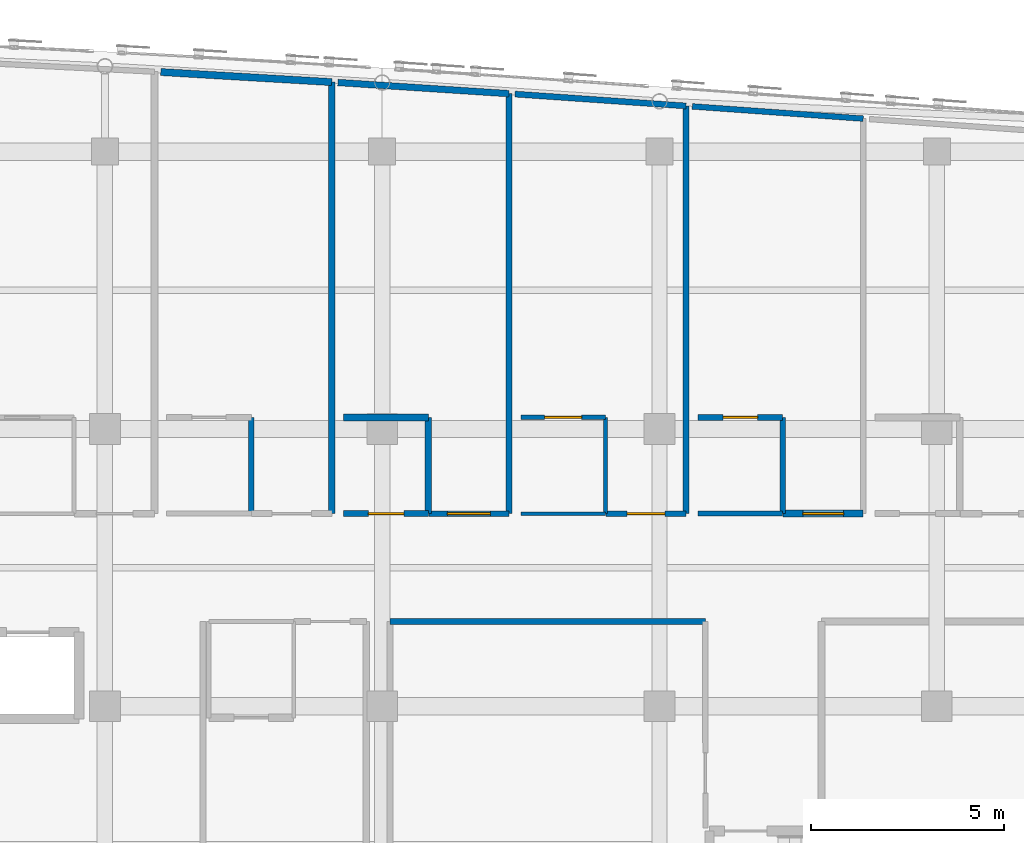
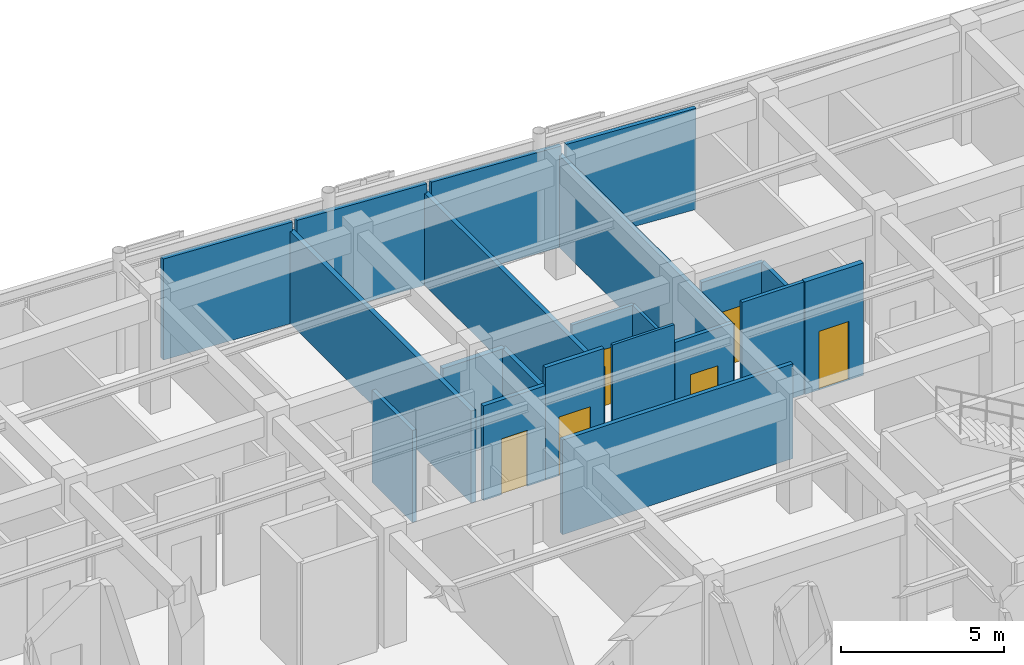
# One storey, part 84 of 106: 21 walls, 6 doors, 6 openings.
"""IFC4 building model written with IfcOpenShell, lengths in metres."""

from ifc_helpers import new_model, si_unit, direction, frame, frame_2d, origin, place, context, subcontext, project, spatial, rectangle, extrude, material, layer, layer_set, type_object, element, fill, save


model = new_model("IFC4")

# Units and contexts
model_context = context("Model", 3, precision=1e-05, world=origin(), true_north=direction((0.0, 1.0)))
body_context = subcontext(model_context, "Body", "Model", "MODEL_VIEW")
ifc_project = project(units=[si_unit("LENGTHUNIT", "METRE"), si_unit("AREAUNIT", "SQUARE_METRE"), si_unit("VOLUMEUNIT", "CUBIC_METRE"), si_unit("PLANEANGLEUNIT", "RADIAN"), si_unit("MASSUNIT", "GRAM", prefix="KILO")], contexts=[model_context])

# Site, building, storey
site_placement = place(None, origin())
site = spatial("IfcSite", under=ifc_project, at=site_placement, CompositionType="ELEMENT")
building_placement = place(site_placement, origin())
building = spatial("IfcBuilding", under=site, at=building_placement, Name="Carrowvane Square Congress Hotel", CompositionType="ELEMENT")
storey_placement = place(building_placement, frame((0.0, 0.0, 10.5)))
storey = spatial("IfcBuildingStorey", under=building, at=storey_placement, Name="L02", CompositionType="ELEMENT", Elevation=10.5)

# Wall, opening, door
ifc_material_1 = material(Name="Acoustic gypsum board", Category="gypsum")
ifc_layer_1 = layer(ifc_material_1, 0.155029296875)
ifc_layer_set_1 = layer_set([ifc_layer_1], Name="Acoustic gypsum board")
wall_type_1 = type_object("IfcWallType", Name="WL-FIR-155", PredefinedType="PARTITIONING", material=ifc_layer_set_1)
wall_1_placement = place(storey_placement, frame((128.0, 104.0, 0.0), z_axis=(0.0, 0.0, 1.0), x_axis=(-1.0, 0.0, 0.0)))
wall_1 = element("IfcWall", 1, at=wall_1_placement, inside=storey, type_object=wall_type_1, Name="L02 En-suite Bathroom 0217 partition", PredefinedType="PARTITIONING", context=body_context, shape_type="SweptSolid", body=[
    extrude(rectangle(XDim=2.199951171875, YDim=0.155029296875, at=frame_2d((1.10009765625, 0.0))), origin(), (0.0, 0.0, 1.0), 3.554931640625),
])
opening_1_placement = place(wall_1_placement, frame((0.639892578125, 0.0, 0.0)))
opening_1 = element("IfcOpeningElement", 2, at=opening_1_placement, cuts=wall_1, Name="Opening ID-03", PredefinedType="OPENING", context=body_context, shape_type="SweptSolid", body=[
    extrude(rectangle(XDim=0.919921875, YDim=2.10009765625, at=frame_2d((0.4599609375, 1.050048828125))), frame((0.0, 0.08740234375, 0.0), z_axis=(0.0, -1.0, 0.0), x_axis=(1.0, 0.0, 0.0)), (0.0, 0.0, 1.0), 0.175048828125),
])
ifc_material_2 = material(Name="European oak timber", Category="wood")
door_type_1 = type_object("IfcDoorType", Name="DR-INT-0920x2100", OperationType="NOTDEFINED", PredefinedType="DOOR", material=ifc_material_2)
door_1_placement = place(opening_1_placement, origin())
door_1 = element("IfcDoor", 3, at=door_1_placement, inside=storey, type_object=door_type_1, Name="L02 En-suite Bathroom 0217 door", OperationType="SINGLE_SWING_LEFT", OverallHeight=2.10009765625, OverallWidth=0.919921875, PredefinedType="DOOR", context=body_context, shape_type="SweptSolid", body=[
    extrude(rectangle(XDim=0.919921875, YDim=2.10009765625, at=frame_2d((0.4599609375, 1.050048828125))), frame((0.0, 0.02490234375, 0.0), z_axis=(0.0, -1.0, 0.0), x_axis=(1.0, 0.0, 0.0)), (0.0, 0.0, 1.0), 0.050048828125),
])
fill(opening_1, door_1)

# Walls
wall_2_placement = place(storey_placement, frame((130.090087890625, 114.906494140625, 0.0), z_axis=(0.0, 0.0, 1.0), x_axis=(0.0, -1.0, 0.0)))
element("IfcWall", 4, at=wall_2_placement, inside=storey, type_object=wall_type_1, Name="L02 Parkview Guest Bedroom 0217 partition", PredefinedType="PARTITIONING", context=body_context, shape_type="SweptSolid", body=[
    extrude(rectangle(XDim=10.906494140625, YDim=0.155029296875, at=frame_2d((5.453125, 0.0))), origin(), (0.0, 0.0, 1.0), 3.455078125),
])
wall_3_placement = place(storey_placement, frame((130.25, 114.8955078125, 0.0), z_axis=(0.0, 0.0, 1.0), x_axis=(0.997593312197, -0.069336739614, 0.0)))
element("IfcWall", 5, at=wall_3_placement, inside=storey, type_object=wall_type_1, Name="L02 Parkview Guest Bedroom 0218 partition", PredefinedType="PARTITIONING", context=body_context, shape_type="SweptSolid", body=[
    extrude(rectangle(XDim=4.45068359375, YDim=0.155029296875, at=frame_2d((2.225341796875, 0.0))), origin(), (0.0, 0.0, 1.0), 3.795654296875),
])
ifc_material_3 = material(Name="Acoustic gypsum board", Category="gypsum")
ifc_layer_2 = layer(ifc_material_3, 0.169921875)
ifc_layer_set_2 = layer_set([ifc_layer_2], Name="Acoustic gypsum board")
wall_type_2 = type_object("IfcWallType", Name="WL-FIR-170", PredefinedType="PARTITIONING", material=ifc_layer_set_2)
wall_4_placement = place(storey_placement, frame((125.489990234375, 115.206298828125, 0.0), z_axis=(0.0, 0.0, 1.0), x_axis=(0.0, -1.0, 0.0)))
element("IfcWall", 6, at=wall_4_placement, inside=storey, type_object=wall_type_2, Name="L02 Parkview Guest Bedroom 0216 partition", PredefinedType="PARTITIONING", context=body_context, shape_type="SweptSolid", body=[
    extrude(rectangle(XDim=11.206298828125, YDim=0.169921875, at=frame_2d((5.60302734375, 0.0))), origin(), (0.0, 0.0, 1.0), 3.455078125),
])
wall_5_placement = place(storey_placement, frame((128.0, 106.5, 0.0), z_axis=(0.0, 0.0, 1.0), x_axis=(0.0, -1.0, 0.0)))
element("IfcWall", 7, at=wall_5_placement, inside=storey, type_object=wall_type_2, Name="L02 En-suite Bathroom 0217 partition", PredefinedType="PARTITIONING", context=body_context, shape_type="SweptSolid", body=[
    extrude(rectangle(XDim=2.5, YDim=0.169921875, at=frame_2d((1.25, 0.0))), origin(), (0.0, 0.0, 1.0), 3.455078125),
])
wall_6_placement = place(storey_placement, frame((125.64990234375, 115.1962890625, 0.0), z_axis=(0.0, 0.0, 1.0), x_axis=(0.997876928912, -0.065127833871, 0.0)))
element("IfcWall", 8, at=wall_6_placement, inside=storey, type_object=wall_type_2, Name="L02 Parkview Guest Bedroom 0217 partition", PredefinedType="PARTITIONING", context=body_context, shape_type="SweptSolid", body=[
    extrude(rectangle(XDim=4.44970703125, YDim=0.169921875, at=frame_2d((2.224853515625, 0.0))), origin(), (0.0, 0.0, 1.0), 3.795654296875),
])
ifc_material_4 = material(Name="Acoustic gypsum board", Category="gypsum")
ifc_layer_3 = layer(ifc_material_4, 0.18505859375)
ifc_layer_set_3 = layer_set([ifc_layer_3], Name="Acoustic gypsum board")
wall_type_3 = type_object("IfcWallType", Name="WL-FIR-185", PredefinedType="PARTITIONING", material=ifc_layer_set_3)
wall_7_placement = place(storey_placement, frame((121.050048828125, 115.468017578125, 0.0), z_axis=(0.0, 0.0, 1.0), x_axis=(0.998267172932, -0.058844298327, 0.0)))
element("IfcWall", 9, at=wall_7_placement, inside=storey, type_object=wall_type_3, Name="L02 Parkview Guest Bedroom 0216 partition", PredefinedType="PARTITIONING", context=body_context, shape_type="SweptSolid", body=[
    extrude(rectangle(XDim=4.44775390625, YDim=0.18505859375, at=frame_2d((2.223876953125, 0.0))), origin(), (0.0, 0.0, 1.0), 3.795654296875),
])
wall_8_placement = place(storey_placement, frame((125.800048828125, 106.5, 0.0), z_axis=(0.0, 0.0, 1.0), x_axis=(1.0, 0.0, 0.0)))
element("IfcWall", 10, at=wall_8_placement, inside=storey, type_object=wall_type_3, Name="L02 En-suite Bathroom 0217 partition", PredefinedType="PARTITIONING", context=body_context, shape_type="SweptSolid", body=[
    extrude(rectangle(XDim=2.199951171875, YDim=0.18505859375, at=frame_2d((1.10009765625, 0.0))), origin(), (0.0, 0.0, 1.0), 3.455078125),
])

# Wall, opening, door
wall_9_placement = place(storey_placement, frame((139.2900390625, 104.0, 0.0), z_axis=(0.0, 0.0, 1.0), x_axis=(-1.0, 0.0, 0.0)))
wall_9 = element("IfcWall", 11, at=wall_9_placement, inside=storey, type_object=wall_type_3, Name="L02 Parkview Guest Bedroom 0219 partition", PredefinedType="PARTITIONING", context=body_context, shape_type="SweptSolid", body=[
    extrude(rectangle(XDim=2.080078125, YDim=0.18505859375, at=frame_2d((1.0400390625, 0.0))), origin(), (0.0, 0.0, 1.0), 4.219970703125),
])
opening_2_placement = place(wall_9_placement, frame((0.510009765625, 0.0, 0.0)))
opening_2 = element("IfcOpeningElement", 12, at=opening_2_placement, cuts=wall_9, Name="Opening FD-09", PredefinedType="OPENING", context=body_context, shape_type="SweptSolid", body=[
    extrude(rectangle(XDim=1.06005859375, YDim=2.199951171875, at=frame_2d((0.530029296875, 1.10009765625))), frame((0.0, 0.1025390625, 0.0), z_axis=(0.0, -1.0, 0.0), x_axis=(1.0, 0.0, 0.0)), (0.0, 0.0, 1.0), 0.205078125),
])
ifc_material_5 = material(Name="European oak timber", Category="wood")
door_type_2 = type_object("IfcDoorType", Name="DR-FD30-1060x2200", OperationType="NOTDEFINED", PredefinedType="DOOR", material=ifc_material_5)
door_2_placement = place(opening_2_placement, origin())
door_2 = element("IfcDoor", 13, at=door_2_placement, inside=storey, type_object=door_type_2, Name="L02 Parkview Guest Bedroom 0219 entrance door", OperationType="SINGLE_SWING_RIGHT", OverallHeight=2.199951171875, OverallWidth=1.06005859375, PredefinedType="DOOR", context=body_context, shape_type="SweptSolid", body=[
    extrude(rectangle(XDim=1.06005859375, YDim=2.199951171875, at=frame_2d((0.530029296875, 1.10009765625))), frame((0.0, 0.02490234375, 0.0), z_axis=(0.0, -1.0, 0.0), x_axis=(1.0, 0.0, 0.0)), (0.0, 0.0, 1.0), 0.050048828125),
])
fill(opening_2, door_2)

# Walls
ifc_material_6 = material(Name="Acoustic gypsum board", Category="gypsum")
ifc_layer_4 = layer(ifc_material_6, 0.097900390625)
ifc_layer_set_4 = layer_set([ifc_layer_4], Name="Acoustic gypsum board")
wall_type_4 = type_object("IfcWallType", Name="WL-PRT-098", PredefinedType="PARTITIONING", material=ifc_layer_set_4)
wall_10_placement = place(storey_placement, frame((132.60009765625, 104.0, 0.0), z_axis=(0.0, 0.0, 1.0), x_axis=(-1.0, 0.0, 0.0)))
element("IfcWall", 14, at=wall_10_placement, inside=storey, type_object=wall_type_4, Name="L02 En-suite Bathroom 0218 partition", PredefinedType="PARTITIONING", context=body_context, shape_type="SweptSolid", body=[
    extrude(rectangle(XDim=2.2001953125, YDim=0.097900390625, at=frame_2d((1.10009765625, 0.0))), origin(), (0.0, 0.0, 1.0), 4.219970703125),
])
ifc_material_7 = material(Name="Acoustic gypsum board", Category="gypsum")
ifc_layer_5 = layer(ifc_material_7, 0.10791015625)
ifc_layer_set_5 = layer_set([ifc_layer_5], Name="Acoustic gypsum board")
wall_type_5 = type_object("IfcWallType", Name="WL-PRT-108", PredefinedType="PARTITIONING", material=ifc_layer_set_5)
wall_11_placement = place(storey_placement, frame((132.60009765625, 106.5, 0.0), z_axis=(0.0, 0.0, 1.0), x_axis=(0.0, -1.0, 0.0)))
element("IfcWall", 15, at=wall_11_placement, inside=storey, type_object=wall_type_5, Name="L02 En-suite Bathroom 0218 partition", PredefinedType="PARTITIONING", context=body_context, shape_type="SweptSolid", body=[
    extrude(rectangle(XDim=2.5, YDim=0.10791015625, at=frame_2d((1.25, 0.0))), origin(), (0.0, 0.0, 1.0), 3.455078125),
])

# Wall, opening, door
ifc_material_8 = material(Name="Acoustic gypsum board", Category="gypsum")
ifc_layer_6 = layer(ifc_material_8, 0.117919921875)
ifc_layer_set_6 = layer_set([ifc_layer_6], Name="Acoustic gypsum board")
wall_type_6 = type_object("IfcWallType", Name="WL-PRT-118", PredefinedType="PARTITIONING", material=ifc_layer_set_6)
wall_12_placement = place(storey_placement, frame((130.39990234375, 106.5, 0.0), z_axis=(0.0, 0.0, 1.0), x_axis=(1.0, 0.0, 0.0)))
wall_12 = element("IfcWall", 16, at=wall_12_placement, inside=storey, type_object=wall_type_6, Name="L02 En-suite Bathroom 0218 partition", PredefinedType="PARTITIONING", context=body_context, shape_type="SweptSolid", body=[
    extrude(rectangle(XDim=2.2001953125, YDim=0.117919921875, at=frame_2d((1.10009765625, 0.0))), origin(), (0.0, 0.0, 1.0), 3.455078125),
])
opening_3_placement = place(wall_12_placement, frame((0.6201171875, 0.0, 0.0)))
opening_3 = element("IfcOpeningElement", 17, at=opening_3_placement, cuts=wall_12, Name="Opening ID-05", PredefinedType="OPENING", context=body_context, shape_type="SweptSolid", body=[
    extrude(rectangle(XDim=0.9599609375, YDim=2.139892578125, at=frame_2d((0.47998046875, 1.06982421875))), frame((0.0, 0.06884765625, 0.0), z_axis=(0.0, -1.0, 0.0), x_axis=(1.0, 0.0, 0.0)), (0.0, 0.0, 1.0), 0.137939453125),
])
ifc_material_9 = material(Name="European oak timber", Category="wood")
door_type_3 = type_object("IfcDoorType", Name="DR-INT-0960x2140", OperationType="NOTDEFINED", PredefinedType="DOOR", material=ifc_material_9)
door_3_placement = place(opening_3_placement, origin())
door_3 = element("IfcDoor", 18, at=door_3_placement, inside=storey, type_object=door_type_3, Name="L02 En-suite Bathroom 0218 door", OperationType="SINGLE_SWING_LEFT", OverallHeight=2.139892578125, OverallWidth=0.9599609375, PredefinedType="DOOR", context=body_context, shape_type="SweptSolid", body=[
    extrude(rectangle(XDim=0.9599609375, YDim=2.139892578125, at=frame_2d((0.47998046875, 1.06982421875))), frame((0.0, 0.02490234375, 0.0), z_axis=(0.0, -1.0, 0.0), x_axis=(1.0, 0.0, 0.0)), (0.0, 0.0, 1.0), 0.050048828125),
])
fill(opening_3, door_3)

# Walls
ifc_material_10 = material(Name="Acoustic gypsum board", Category="gypsum")
ifc_layer_7 = layer(ifc_material_10, 0.1279296875)
ifc_layer_set_7 = layer_set([ifc_layer_7], Name="Acoustic gypsum board")
wall_type_7 = type_object("IfcWallType", Name="WL-PRT-128", PredefinedType="PARTITIONING", material=ifc_layer_set_7)
wall_13_placement = place(storey_placement, frame((137.199951171875, 104.0, 0.0), z_axis=(0.0, 0.0, 1.0), x_axis=(-1.0, 0.0, 0.0)))
element("IfcWall", 19, at=wall_13_placement, inside=storey, type_object=wall_type_7, Name="L02 En-suite Bathroom 0219 partition", PredefinedType="PARTITIONING", context=body_context, shape_type="SweptSolid", body=[
    extrude(rectangle(XDim=2.199951171875, YDim=0.1279296875, at=frame_2d((1.10009765625, 0.0))), origin(), (0.0, 0.0, 1.0), 4.219970703125),
])
ifc_material_11 = material(Name="Acoustic gypsum board", Category="gypsum")
ifc_layer_8 = layer(ifc_material_11, 0.137939453125)
ifc_layer_set_8 = layer_set([ifc_layer_8], Name="Acoustic gypsum board")
wall_type_8 = type_object("IfcWallType", Name="WL-PRT-138", PredefinedType="PARTITIONING", material=ifc_layer_set_8)
wall_14_placement = place(storey_placement, frame((123.39990234375, 106.5, 0.0), z_axis=(0.0, 0.0, 1.0), x_axis=(0.0, -1.0, 0.0)))
element("IfcWall", 20, at=wall_14_placement, inside=storey, type_object=wall_type_8, Name="L02 En-suite Bathroom 0216 partition", PredefinedType="PARTITIONING", context=body_context, shape_type="SweptSolid", body=[
    extrude(rectangle(XDim=2.5, YDim=0.137939453125, at=frame_2d((1.25, 0.0))), origin(), (0.0, 0.0, 1.0), 3.455078125),
])

# Wall, opening, door
wall_15_placement = place(storey_placement, frame((134.68994140625, 104.0, 0.0), z_axis=(0.0, 0.0, 1.0), x_axis=(-1.0, 0.0, 0.0)))
wall_15 = element("IfcWall", 21, at=wall_15_placement, inside=storey, type_object=wall_type_8, Name="L02 Parkview Guest Bedroom 0218 partition", PredefinedType="PARTITIONING", context=body_context, shape_type="SweptSolid", body=[
    extrude(rectangle(XDim=2.079833984375, YDim=0.137939453125, at=frame_2d((1.0400390625, 0.0))), origin(), (0.0, 0.0, 1.0), 3.554931640625),
])
opening_4_placement = place(wall_15_placement, frame((0.550048828125, 0.0, 0.0)))
opening_4 = element("IfcOpeningElement", 22, at=opening_4_placement, cuts=wall_15, Name="Opening FD-07", PredefinedType="OPENING", context=body_context, shape_type="SweptSolid", body=[
    extrude(rectangle(XDim=0.97998046875, YDim=2.14990234375, at=frame_2d((0.489990234375, 1.074951171875))), frame((0.0, 0.078857421875, 0.0), z_axis=(0.0, -1.0, 0.0), x_axis=(1.0, 0.0, 0.0)), (0.0, 0.0, 1.0), 0.157958984375),
])
ifc_material_12 = material(Name="European oak timber", Category="wood")
door_type_4 = type_object("IfcDoorType", Name="DR-FD30-0980x2150", OperationType="NOTDEFINED", PredefinedType="DOOR", material=ifc_material_12)
door_4_placement = place(opening_4_placement, origin())
door_4 = element("IfcDoor", 23, at=door_4_placement, inside=storey, type_object=door_type_4, Name="L02 Parkview Guest Bedroom 0218 entrance door", OperationType="SINGLE_SWING_RIGHT", OverallHeight=2.14990234375, OverallWidth=0.97998046875, PredefinedType="DOOR", context=body_context, shape_type="SweptSolid", body=[
    extrude(rectangle(XDim=0.97998046875, YDim=2.14990234375, at=frame_2d((0.489990234375, 1.074951171875))), frame((0.0, 0.02490234375, 0.0), z_axis=(0.0, -1.0, 0.0), x_axis=(1.0, 0.0, 0.0)), (0.0, 0.0, 1.0), 0.050048828125),
])
fill(opening_4, door_4)

# Walls
wall_16_placement = place(storey_placement, frame((137.199951171875, 106.5, 0.0), z_axis=(0.0, 0.0, 1.0), x_axis=(0.0, -1.0, 0.0)))
element("IfcWall", 24, at=wall_16_placement, inside=storey, type_object=wall_type_8, Name="L02 En-suite Bathroom 0219 partition", PredefinedType="PARTITIONING", context=body_context, shape_type="SweptSolid", body=[
    extrude(rectangle(XDim=2.5, YDim=0.137939453125, at=frame_2d((1.25, 0.0))), origin(), (0.0, 0.0, 1.0), 3.455078125),
])
ifc_material_13 = material(Name="Acoustic gypsum board", Category="gypsum")
ifc_layer_9 = layer(ifc_material_13, 0.14794921875)
ifc_layer_set_9 = layer_set([ifc_layer_9], Name="Acoustic gypsum board")
wall_type_9 = type_object("IfcWallType", Name="WL-PRT-148", PredefinedType="PARTITIONING", material=ifc_layer_set_9)
wall_17_placement = place(storey_placement, frame((127.0, 101.199951171875, 0.0), z_axis=(0.0, 0.0, 1.0), x_axis=(1.0, 0.0, 0.0)))
element("IfcWall", 25, at=wall_17_placement, inside=storey, type_object=wall_type_9, Name="L02 L02 East Delegate Linen and Service Room partition", PredefinedType="PARTITIONING", context=body_context, shape_type="SweptSolid", body=[
    extrude(rectangle(XDim=8.18994140625, YDim=0.14794921875, at=frame_2d((4.094970703125, 0.0))), origin(), (0.0, 0.0, 1.0), 3.554931640625),
])

# Wall, opening, door
wall_18_placement = place(storey_placement, frame((130.090087890625, 104.0, 0.0), z_axis=(0.0, 0.0, 1.0), x_axis=(-1.0, 0.0, 0.0)))
wall_18 = element("IfcWall", 26, at=wall_18_placement, inside=storey, type_object=wall_type_9, Name="L02 Parkview Guest Bedroom 0217 partition", PredefinedType="PARTITIONING", context=body_context, shape_type="SweptSolid", body=[
    extrude(rectangle(XDim=2.080078125, YDim=0.14794921875, at=frame_2d((1.0400390625, 0.0))), origin(), (0.0, 0.0, 1.0), 4.219970703125),
])
opening_5_placement = place(wall_18_placement, frame((0.47998046875, 0.0, 0.0)))
opening_5 = element("IfcOpeningElement", 27, at=opening_5_placement, cuts=wall_18, Name="Opening FD-10", PredefinedType="OPENING", context=body_context, shape_type="SweptSolid", body=[
    extrude(rectangle(XDim=1.1201171875, YDim=2.199951171875, at=frame_2d((0.56005859375, 1.10009765625))), frame((0.0, 0.083984375, 0.0), z_axis=(0.0, -1.0, 0.0), x_axis=(1.0, 0.0, 0.0)), (0.0, 0.0, 1.0), 0.16796875),
])
ifc_material_14 = material(Name="European oak timber", Category="wood")
door_type_5 = type_object("IfcDoorType", Name="DR-FD30-1120x2200", OperationType="NOTDEFINED", PredefinedType="DOOR", material=ifc_material_14)
door_5_placement = place(opening_5_placement, origin())
door_5 = element("IfcDoor", 28, at=door_5_placement, inside=storey, type_object=door_type_5, Name="L02 Parkview Guest Bedroom 0217 entrance door", OperationType="SINGLE_SWING_RIGHT", OverallHeight=2.199951171875, OverallWidth=1.1201171875, PredefinedType="DOOR", context=body_context, shape_type="SweptSolid", body=[
    extrude(rectangle(XDim=1.1201171875, YDim=2.199951171875, at=frame_2d((0.56005859375, 1.10009765625))), frame((0.0, 0.02490234375, 0.0), z_axis=(0.0, -1.0, 0.0), x_axis=(1.0, 0.0, 0.0)), (0.0, 0.0, 1.0), 0.050048828125),
])
fill(opening_5, door_5)

# Wall
wall_19_placement = place(storey_placement, frame((134.68994140625, 114.5869140625, 0.0), z_axis=(0.0, 0.0, 1.0), x_axis=(0.0, -1.0, 0.0)))
element("IfcWall", 29, at=wall_19_placement, inside=storey, type_object=wall_type_9, Name="L02 Parkview Guest Bedroom 0218 partition", PredefinedType="PARTITIONING", context=body_context, shape_type="SweptSolid", body=[
    extrude(rectangle(XDim=10.5869140625, YDim=0.14794921875, at=frame_2d((5.29345703125, 0.0))), origin(), (0.0, 0.0, 1.0), 3.455078125),
])

# Wall, opening, door
wall_20_placement = place(storey_placement, frame((135.0, 106.5, 0.0), z_axis=(0.0, 0.0, 1.0), x_axis=(1.0, 0.0, 0.0)))
wall_20 = element("IfcWall", 30, at=wall_20_placement, inside=storey, type_object=wall_type_9, Name="L02 En-suite Bathroom 0219 partition", PredefinedType="PARTITIONING", context=body_context, shape_type="SweptSolid", body=[
    extrude(rectangle(XDim=2.199951171875, YDim=0.14794921875, at=frame_2d((1.10009765625, 0.0))), origin(), (0.0, 0.0, 1.0), 3.455078125),
])
opening_6_placement = place(wall_20_placement, frame((0.655029296875, 0.0, 0.0)))
opening_6 = element("IfcOpeningElement", 31, at=opening_6_placement, cuts=wall_20, Name="Opening ID-16", PredefinedType="OPENING", context=body_context, shape_type="SweptSolid", body=[
    extrude(rectangle(XDim=0.889892578125, YDim=2.090087890625, at=frame_2d((0.44482421875, 1.044921875))), frame((0.0, 0.083984375, 0.0), z_axis=(0.0, -1.0, 0.0), x_axis=(1.0, 0.0, 0.0)), (0.0, 0.0, 1.0), 0.16796875),
])
ifc_material_15 = material(Name="European oak timber", Category="wood")
door_type_6 = type_object("IfcDoorType", Name="DR-INT-0890x2090", OperationType="NOTDEFINED", PredefinedType="DOOR", material=ifc_material_15)
door_6_placement = place(opening_6_placement, origin())
door_6 = element("IfcDoor", 32, at=door_6_placement, inside=storey, type_object=door_type_6, Name="L02 En-suite Bathroom 0219 door", OperationType="SINGLE_SWING_LEFT", OverallHeight=2.090087890625, OverallWidth=0.889892578125, PredefinedType="DOOR", context=body_context, shape_type="SweptSolid", body=[
    extrude(rectangle(XDim=0.889892578125, YDim=2.090087890625, at=frame_2d((0.44482421875, 1.044921875))), frame((0.0, 0.02490234375, 0.0), z_axis=(0.0, -1.0, 0.0), x_axis=(1.0, 0.0, 0.0)), (0.0, 0.0, 1.0), 0.050048828125),
])
fill(opening_6, door_6)

# Wall
wall_21_placement = place(storey_placement, frame((134.85009765625, 114.575439453125, 0.0), z_axis=(0.0, 0.0, 1.0), x_axis=(0.997454800553, -0.071301618867, 0.0)))
element("IfcWall", 33, at=wall_21_placement, inside=storey, type_object=wall_type_9, Name="L02 Parkview Guest Bedroom 0219 partition", PredefinedType="PARTITIONING", context=body_context, shape_type="SweptSolid", body=[
    extrude(rectangle(XDim=4.451171875, YDim=0.14794921875, at=frame_2d((2.2255859375, 0.0))), origin(), (0.0, 0.0, 1.0), 3.795654296875),
])

save(model, "model.ifc")
